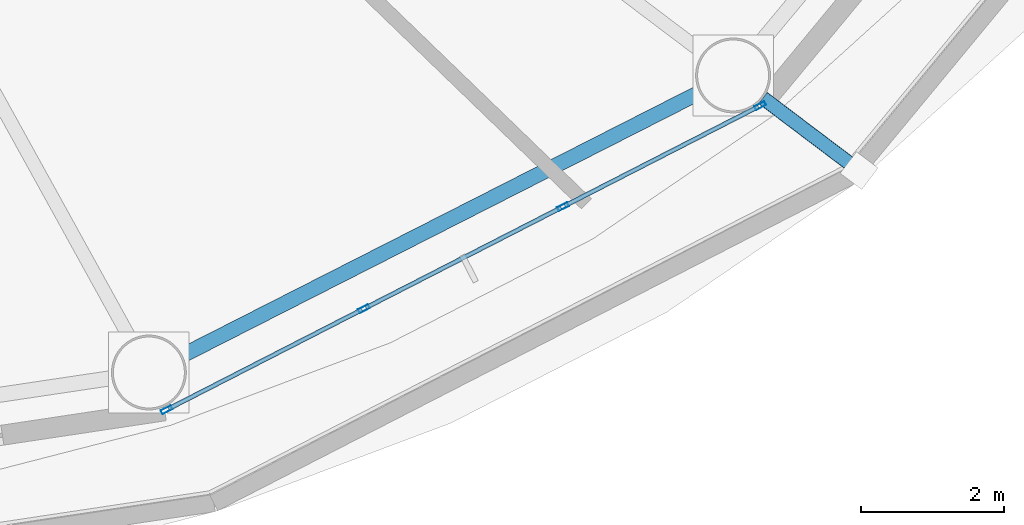
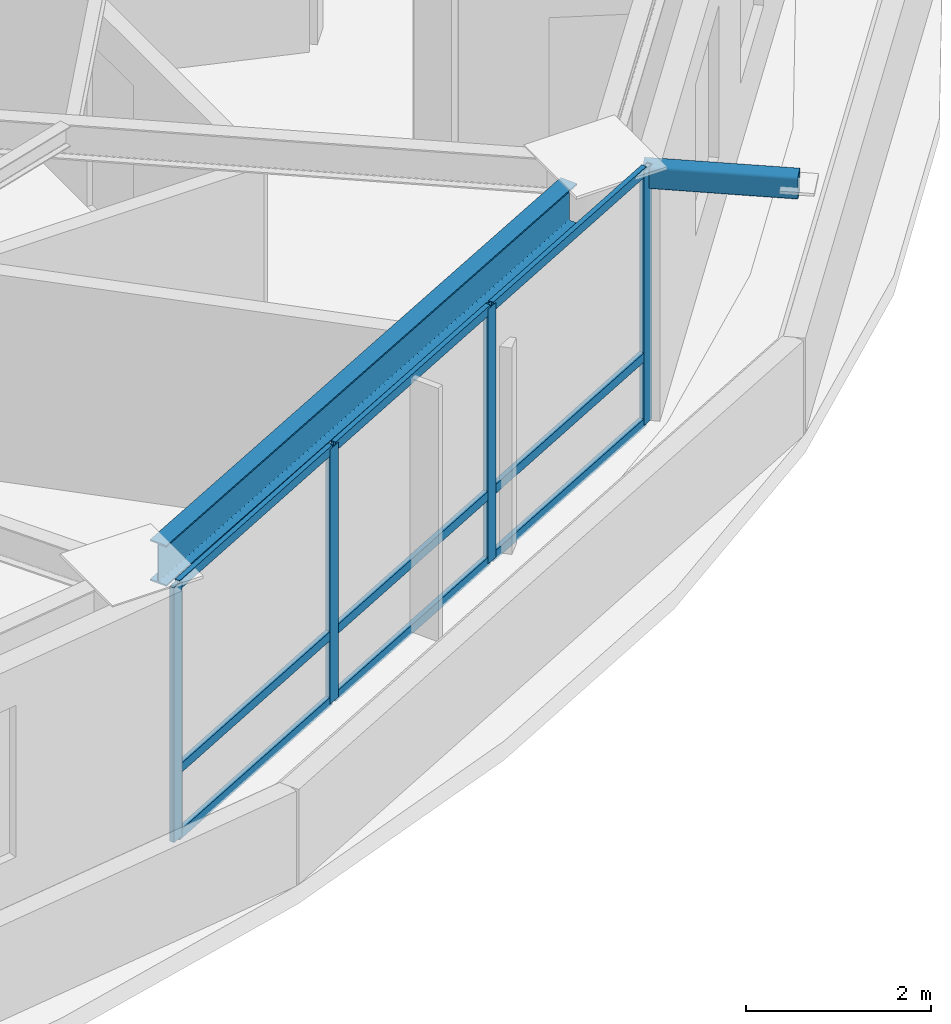
# One storey, part 5 of 22: 14 members, 1 beam, 1 element without a shape of its own.
"""IFC4 building model written with IfcOpenShell, lengths in metres."""

import ifcopenshell
import ifcopenshell.guid

model = None  # the IFC model being written
_history = None  # IfcOwnerHistory: only IFC2X3 demands one
_inside = {}  # id of a spatial element -> (the spatial element, [elements in it])
_under = {}  # id of a project, library or spatial element -> (it, [spatial elements below it])
_declared = {}  # id of a project -> (the project, [libraries it declares])
_typed = {}  # id of a type object -> (the type object, [elements of that type])
_made_of = {}  # id of a material, layer set ... -> (it, [elements and type objects made of it])


def new_model(schema):
    """Start an empty IFC model of exactly this schema.

    Asked for "IFC4X3", IfcOpenShell would pick the latest addendum, in which some entities
    have other attributes; the version numbers below select the first issue.
    IFC2X3 requires an IfcOwnerHistory on every rooted entity: one is made here for all.
    """
    global model, _history
    if schema == "IFC4X3":
        model = ifcopenshell.file(schema_version=(4, 3, 0, 0))
    else:
        model = ifcopenshell.file(schema=schema)
    _inside.clear()
    _under.clear()
    _declared.clear()
    _typed.clear()
    _made_of.clear()
    _history = None
    if model.schema == "IFC2X3":
        org = make("IfcOrganization", Name="unknown")
        user = make(
            "IfcPersonAndOrganization",
            ThePerson=make("IfcPerson", FamilyName="unknown"),
            TheOrganization=org,
        )
        app = make(
            "IfcApplication",
            ApplicationDeveloper=org,
            Version="unknown",
            ApplicationFullName="unknown",
            ApplicationIdentifier="unknown",
        )
        _history = make(
            "IfcOwnerHistory",
            OwningUser=user,
            OwningApplication=app,
            ChangeAction="ADDED",
            CreationDate=0,
        )
    return model


def make(cls, **values):
    """One entity of the class cls with the attributes given. An attribute that is None is left unset."""
    return model.create_entity(
        cls, **{name: value for name, value in values.items() if value is not None}
    )


def rooted(cls, **values):
    """An entity with a GlobalId (a new one), such as an element, a storey or a relation."""
    return make(cls, GlobalId=ifcopenshell.guid.new(), OwnerHistory=_history, **values)


def si_unit(unit_type, name, prefix=None):
    """IfcSIUnit, for example si_unit("LENGTHUNIT", "METRE", prefix="MILLI")."""
    return make("IfcSIUnit", UnitType=unit_type, Prefix=prefix, Name=name)


def assignment(units):
    """IfcUnitAssignment: the units of a project."""
    return None if units is None else make("IfcUnitAssignment", Units=units)


def point(xyz):
    """IfcCartesianPoint."""
    return None if xyz is None else make("IfcCartesianPoint", Coordinates=xyz)


def direction(xyz):
    """IfcDirection."""
    return None if xyz is None else make("IfcDirection", DirectionRatios=xyz)


def frame(location, z_axis=None, x_axis=None):
    """IfcAxis2Placement3D, a coordinate frame: its origin and axes. An axis left out is left unset."""
    return make(
        "IfcAxis2Placement3D",
        Location=point(location),
        Axis=direction(z_axis),
        RefDirection=direction(x_axis),
    )


def frame_2d(location, x_axis=None):
    """IfcAxis2Placement2D, a coordinate frame in the plane: its origin and x axis."""
    return make(
        "IfcAxis2Placement2D", Location=point(location), RefDirection=direction(x_axis)
    )


def origin():
    """The frame at (0, 0, 0) with its axes left unset."""
    return frame((0.0, 0.0, 0.0))


def origin_2d():
    """The frame at (0, 0) in the plane with its x axis left unset."""
    return frame_2d((0.0, 0.0))


def place(relative_to, where):
    """IfcLocalPlacement: puts the frame where relative to a parent placement (None: the world)."""
    return make(
        "IfcLocalPlacement", PlacementRelTo=relative_to, RelativePlacement=where
    )


def context(
    kind, dimensions, precision=None, world=None, true_north=None, identifier=None
):
    """IfcGeometricRepresentationContext, for example the 3D "Model" context."""
    return make(
        "IfcGeometricRepresentationContext",
        ContextIdentifier=identifier,
        ContextType=kind,
        CoordinateSpaceDimension=dimensions,
        Precision=precision,
        WorldCoordinateSystem=world,
        TrueNorth=true_north,
    )


def subcontext(parent, identifier, kind, view, scale=None):
    """IfcGeometricRepresentationSubContext, for example "Body" below "Model"."""
    return make(
        "IfcGeometricRepresentationSubContext",
        ContextIdentifier=identifier,
        ContextType=kind,
        ParentContext=parent,
        TargetScale=scale,
        TargetView=view,
    )


def project(units=None, contexts=None):
    """IfcProject with its units and contexts."""
    return rooted(
        "IfcProject",
        Name="project",
        RepresentationContexts=contexts,
        UnitsInContext=assignment(units),
    )


def spatial(cls, under=None, at=None, **own):
    """A site, building, storey or space (cls), placed at a placement, below another one or the project."""
    s = rooted(cls, ObjectPlacement=at, **own)
    if under is not None:
        _under.setdefault(under.id(), (under, []))[1].append(s)
    return s


def profile(cls, at=None, kind="AREA", **sizes):
    """A parametric profile (cls). Its sizes go by their IFC names, for example OverallWidth=200.0."""
    return make(cls, ProfileType=kind, Position=at, **sizes)


def hollow_rectangle(**sizes):
    """IfcRectangleHollowProfileDef."""
    return profile("IfcRectangleHollowProfileDef", **sizes)


def i_section(**sizes):
    """IfcIShapeProfileDef."""
    return profile("IfcIShapeProfileDef", **sizes)


def extrude(swept, where, along, depth):
    """IfcExtrudedAreaSolid: the profile swept, set in the frame where, extruded along a direction by depth."""
    return make(
        "IfcExtrudedAreaSolid",
        SweptArea=swept,
        Position=where,
        ExtrudedDirection=direction(along),
        Depth=depth,
    )


def shape(context_of_items, identifier, shape_type, items):
    """IfcShapeRepresentation: the items that make up one representation, for example the "Body"."""
    return make(
        "IfcShapeRepresentation",
        ContextOfItems=context_of_items,
        RepresentationIdentifier=identifier,
        RepresentationType=shape_type,
        Items=items,
    )


def material(Name=None, Category=None):
    """IfcMaterial."""
    return make("IfcMaterial", Name=Name, Category=Category)


def layer(
    of_material, thickness, ventilated=None, Name=None, Category=None, Priority=None
):
    """IfcMaterialLayer: one layer of a wall or slab, of a material (None: an air gap)."""
    return make(
        "IfcMaterialLayer",
        Material=of_material,
        LayerThickness=thickness,
        IsVentilated=ventilated,
        Name=Name,
        Category=Category,
        Priority=Priority,
    )


def layer_set(layers, Name=None):
    """IfcMaterialLayerSet."""
    return make("IfcMaterialLayerSet", MaterialLayers=layers, LayerSetName=Name)


def material_profile(
    of_material, cross_section, Name=None, Category=None, Priority=None
):
    """IfcMaterialProfile: a cross section and its material."""
    return make(
        "IfcMaterialProfile",
        Name=Name,
        Material=of_material,
        Profile=cross_section,
        Priority=Priority,
        Category=Category,
    )


def profile_set(profiles, Name=None, composite=None):
    """IfcMaterialProfileSet."""
    return make(
        "IfcMaterialProfileSet",
        Name=Name,
        MaterialProfiles=profiles,
        CompositeProfile=composite,
    )


def made_of(thing, what):
    """Note that an element or type object is made of a material, layer set ...; save() writes the relation."""
    if what is not None:
        _made_of.setdefault(what.id(), (what, []))[1].append(thing)
    return thing


def type_object(cls, material=None, **own):
    """A type object (cls), such as IfcWallType, which elements share."""
    return made_of(rooted(cls, **own), material)


def element(
    cls,
    number,
    at=None,
    inside=None,
    cuts=None,
    type_object=None,
    material=None,
    context=None,
    identifier="Body",
    shape_type=None,
    held_by="IfcProductDefinitionShape",
    body=None,
    shapes=None,
    **own,
):
    """One element of the class cls, such as IfcWall. Its Tag is "e" and its number.

    at: its placement. inside: the storey or other place that contains it. cuts: it is an
    opening in that element (IfcRelVoidsElement). A single representation is given by context,
    identifier, shape_type and body (its items); several are given by shapes. held_by: the class
    of the entity that holds the representations. save() writes the other relations.
    """
    e = rooted(cls, Tag="e%d" % number, ObjectPlacement=at, **own)
    if body is not None:
        shapes = [shape(context, identifier, shape_type, body)]
    if shapes is not None:
        e.Representation = make(held_by, Representations=shapes)
    if inside is not None:
        _inside.setdefault(inside.id(), (inside, []))[1].append(e)
    if cuts is not None:
        rooted(
            "IfcRelVoidsElement", RelatingBuildingElement=cuts, RelatedOpeningElement=e
        )
    if type_object is not None:
        _typed.setdefault(type_object.id(), (type_object, []))[1].append(e)
    return made_of(e, material)


def aggregate(whole, parts):
    """IfcRelAggregates: a whole, such as a stair, and the parts it consists of."""
    return rooted("IfcRelAggregates", RelatingObject=whole, RelatedObjects=parts)


def save(model, path):
    """Write the relations noted so far, then the file.

    IfcRelAggregates (storeys below a building ...), IfcRelContainedInSpatialStructure (elements
    in a storey), IfcRelDefinesByType, IfcRelAssociatesMaterial and IfcRelDeclares: one each for
    every whole, place, type object, material and project.
    """
    for whole, parts in _under.values():
        aggregate(whole, parts)
    for where, things in _inside.values():
        rooted(
            "IfcRelContainedInSpatialStructure",
            RelatedElements=things,
            RelatingStructure=where,
        )
    for kind, things in _typed.values():
        rooted("IfcRelDefinesByType", RelatedObjects=things, RelatingType=kind)
    for what, things in _made_of.values():
        rooted("IfcRelAssociatesMaterial", RelatedObjects=things, RelatingMaterial=what)
    for by, libraries in _declared.values():
        rooted("IfcRelDeclares", RelatingContext=by, RelatedDefinitions=libraries)
    model.write(path)


model = new_model("IFC4")

# Units and contexts
model_context = context("Model", 3, precision=1e-05, world=origin(), true_north=direction((0.0, 1.0)))
body_context = subcontext(model_context, "Body", "Model", "MODEL_VIEW")
ifc_project = project(units=[si_unit("LENGTHUNIT", "METRE"), si_unit("AREAUNIT", "SQUARE_METRE"), si_unit("VOLUMEUNIT", "CUBIC_METRE"), si_unit("PLANEANGLEUNIT", "RADIAN"), si_unit("MASSUNIT", "GRAM", prefix="KILO")], contexts=[model_context])

# Site, building, storey
site_placement = place(None, origin())
site = spatial("IfcSite", under=ifc_project, at=site_placement, CompositionType="ELEMENT")
building_placement = place(site_placement, origin())
building = spatial("IfcBuilding", under=site, at=building_placement, Name="Sarneth Arch Tower", CompositionType="ELEMENT")
storey_placement = place(building_placement, frame((0.0, 0.0, 206.39990234375)))
storey = spatial("IfcBuildingStorey", under=building, at=storey_placement, Name="L52", CompositionType="ELEMENT", Elevation=206.39990234375)

# Beam
ifc_material_1 = material(Name="Steel S355", Category="steel")
ifc_material_profile_1 = material_profile(ifc_material_1, i_section(OverallWidth=0.2109375, OverallDepth=0.5390625, WebThickness=0.01171875, FlangeThickness=0.018798828125, FilletRadius=0.01806640625, at=origin_2d()), Name="W530x109")
ifc_profile_set_1 = profile_set([ifc_material_profile_1], Name="Steel S355")
beam_type = type_object("IfcBeamType", Name="BM-RAD-530B", PredefinedType="BEAM", material=ifc_profile_set_1)
beam_placement = place(storey_placement, frame((58.2587890625, 24.49951171875, 3.090576171875), z_axis=(0.891368271482, 0.453279830342, 0.0), x_axis=(-0.453279830342, 0.891368271482, 0.0)))
element("IfcBeam", 1, at=beam_placement, inside=storey, type_object=beam_type, Name="L52 Perimeter spandrel beam 14", PredefinedType="BEAM", context=body_context, shape_type="SweptSolid", body=[
    extrude(i_section(OverallWidth=0.2109375, OverallDepth=0.5390625, WebThickness=0.01171875, FlangeThickness=0.018798828125, FilletRadius=0.01806640625, at=origin_2d()), origin(), (0.0, 0.0, 1.0), 8.1318359375),
])

# Curtain wall, members
ifc_material_2 = material(Name="Anodised aluminium Type AA25 and solar-control low-e laminated IGU", Category="aluminium")
ifc_layer = layer(ifc_material_2, 0.179931640625)
ifc_layer_set = layer_set([ifc_layer], Name="Anodised aluminium Type AA25 and solar-control low-e laminated IGU")
curtain_wall_type = type_object("IfcCurtainWallType", Name="CW-RES-HIGH", PredefinedType="NOTDEFINED", material=ifc_layer_set)
curtain_wall_placement = place(storey_placement, origin())
curtain_wall = element("IfcCurtainWall", 2, at=curtain_wall_placement, inside=storey, type_object=curtain_wall_type, Name="L52 Unitised curtain wall facet 14", PredefinedType="NOTDEFINED")
ifc_material_3 = material(Name="Anodised Aluminium 6063-T6", Category="aluminium")
ifc_material_profile_2 = material_profile(ifc_material_3, hollow_rectangle(XDim=0.06005859375, YDim=0.159912109375, WallThickness=0.00390625, at=origin_2d()), Name="AL-MULL-160x60x4")
ifc_profile_set_2 = profile_set([ifc_material_profile_2], Name="Anodised Aluminium 6063-T6")
member_type_1 = type_object("IfcMemberType", Name="CW-MULLION", PredefinedType="MULLION", material=ifc_profile_set_2)
member_1_placement = place(storey_placement, frame((58.039306640625, 23.7392578125, 0.0), z_axis=(0.0, 0.0, 1.0), x_axis=(-0.455941901753, 0.890009540525, 0.0)))
member_1 = element("IfcMember", 3, at=member_1_placement, type_object=member_type_1, Name="CW-SYS-6 mullion 1", PredefinedType="MULLION", context=body_context, shape_type="SweptSolid", body=[
    extrude(hollow_rectangle(XDim=0.06005859375, YDim=0.159912109375, WallThickness=0.00390625, at=origin_2d()), origin(), (0.0, 0.0, 1.0), 3.360107421875),
])
member_2_placement = place(storey_placement, frame((60.802490234375, 25.155029296875, 0.0), z_axis=(0.0, 0.0, 1.0), x_axis=(-0.455941901753, 0.890009540525, 0.0)))
member_2 = element("IfcMember", 4, at=member_2_placement, type_object=member_type_1, Name="CW-SYS-6 mullion 2", PredefinedType="MULLION", context=body_context, shape_type="SweptSolid", body=[
    extrude(hollow_rectangle(XDim=0.06005859375, YDim=0.159912109375, WallThickness=0.00390625, at=origin_2d()), origin(), (0.0, 0.0, 1.0), 3.360107421875),
])
member_3_placement = place(storey_placement, frame((63.592529296875, 26.584228515625, 0.0), z_axis=(0.0, 0.0, 1.0), x_axis=(-0.455941901753, 0.890009540525, 0.0)))
member_3 = element("IfcMember", 5, at=member_3_placement, type_object=member_type_1, Name="CW-SYS-6 mullion 3", PredefinedType="MULLION", context=body_context, shape_type="SweptSolid", body=[
    extrude(hollow_rectangle(XDim=0.06005859375, YDim=0.159912109375, WallThickness=0.00390625, at=origin_2d()), origin(), (0.0, 0.0, 1.0), 3.360107421875),
])
member_4_placement = place(storey_placement, frame((66.355712890625, 27.999755859375, 0.0), z_axis=(0.0, 0.0, 1.0), x_axis=(-0.455941901753, 0.890009540525, 0.0)))
member_4 = element("IfcMember", 6, at=member_4_placement, type_object=member_type_1, Name="CW-SYS-6 mullion 4", PredefinedType="MULLION", context=body_context, shape_type="SweptSolid", body=[
    extrude(hollow_rectangle(XDim=0.06005859375, YDim=0.159912109375, WallThickness=0.00390625, at=origin_2d()), origin(), (0.0, 0.0, 1.0), 3.360107421875),
])
ifc_material_4 = material(Name="Anodised Aluminium 6063-T6", Category="aluminium")
ifc_material_profile_3 = material_profile(ifc_material_4, hollow_rectangle(XDim=0.06005859375, YDim=0.1201171875, WallThickness=0.00390625, at=origin_2d()), Name="AL-TRAN-120x60x4")
ifc_profile_set_3 = profile_set([ifc_material_profile_3], Name="Anodised Aluminium 6063-T6")
member_type_2 = type_object("IfcMemberType", Name="CW-TRANSOM", PredefinedType="USERDEFINED", material=ifc_profile_set_3)
member_5_placement = place(storey_placement, frame((58.066162109375, 23.7529296875, 0.030029296875), z_axis=(0.889973523166, 0.456012201662, 0.0), x_axis=(-0.456012201662, 0.889973523166, 0.0)))
member_5 = element("IfcMember", 7, at=member_5_placement, type_object=member_type_2, Name="CW-SYS-6 transom 1.1", ObjectType="TRANSOM", PredefinedType="USERDEFINED", context=body_context, shape_type="SweptSolid", body=[
    extrude(hollow_rectangle(XDim=0.06005859375, YDim=0.1201171875, WallThickness=0.00390625, at=origin_2d()), origin(), (0.0, 0.0, 1.0), 3.044677734375),
])
member_6_placement = place(storey_placement, frame((58.066162109375, 23.7529296875, 0.900146484375), z_axis=(0.889973523166, 0.456012201662, 0.0), x_axis=(-0.456012201662, 0.889973523166, 0.0)))
member_6 = element("IfcMember", 8, at=member_6_placement, type_object=member_type_2, Name="CW-SYS-6 transom 1.2", ObjectType="TRANSOM", PredefinedType="USERDEFINED", context=body_context, shape_type="SweptSolid", body=[
    extrude(hollow_rectangle(XDim=0.06005859375, YDim=0.1201171875, WallThickness=0.00390625, at=origin_2d()), origin(), (0.0, 0.0, 1.0), 3.044677734375),
])
member_7_placement = place(storey_placement, frame((58.066162109375, 23.7529296875, 3.330078125), z_axis=(0.889973523166, 0.456012201662, 0.0), x_axis=(-0.456012201662, 0.889973523166, 0.0)))
member_7 = element("IfcMember", 9, at=member_7_placement, type_object=member_type_2, Name="CW-SYS-6 transom 1.3", ObjectType="TRANSOM", PredefinedType="USERDEFINED", context=body_context, shape_type="SweptSolid", body=[
    extrude(hollow_rectangle(XDim=0.06005859375, YDim=0.1201171875, WallThickness=0.00390625, at=origin_2d()), origin(), (0.0, 0.0, 1.0), 3.044677734375),
])
member_8_placement = place(storey_placement, frame((60.829345703125, 25.168701171875, 0.030029296875), z_axis=(0.890017432405, 0.455926496286, 0.0), x_axis=(-0.455926496286, 0.890017432405, 0.0)))
member_8 = element("IfcMember", 10, at=member_8_placement, type_object=member_type_2, Name="CW-SYS-6 transom 2.1", ObjectType="TRANSOM", PredefinedType="USERDEFINED", context=body_context, shape_type="SweptSolid", body=[
    extrude(hollow_rectangle(XDim=0.06005859375, YDim=0.1201171875, WallThickness=0.00390625, at=origin_2d()), origin(), (0.0, 0.0, 1.0), 3.07470703125),
])
member_9_placement = place(storey_placement, frame((60.829345703125, 25.168701171875, 0.900146484375), z_axis=(0.890017432405, 0.455926496286, 0.0), x_axis=(-0.455926496286, 0.890017432405, 0.0)))
member_9 = element("IfcMember", 11, at=member_9_placement, type_object=member_type_2, Name="CW-SYS-6 transom 2.2", ObjectType="TRANSOM", PredefinedType="USERDEFINED", context=body_context, shape_type="SweptSolid", body=[
    extrude(hollow_rectangle(XDim=0.06005859375, YDim=0.1201171875, WallThickness=0.00390625, at=origin_2d()), origin(), (0.0, 0.0, 1.0), 3.07470703125),
])
member_10_placement = place(storey_placement, frame((60.829345703125, 25.168701171875, 3.330078125), z_axis=(0.890017432405, 0.455926496286, 0.0), x_axis=(-0.455926496286, 0.890017432405, 0.0)))
member_10 = element("IfcMember", 12, at=member_10_placement, type_object=member_type_2, Name="CW-SYS-6 transom 2.3", ObjectType="TRANSOM", PredefinedType="USERDEFINED", context=body_context, shape_type="SweptSolid", body=[
    extrude(hollow_rectangle(XDim=0.06005859375, YDim=0.1201171875, WallThickness=0.00390625, at=origin_2d()), origin(), (0.0, 0.0, 1.0), 3.07470703125),
])
member_11_placement = place(storey_placement, frame((63.619140625, 26.597900390625, 0.030029296875), z_axis=(0.890022732705, 0.455916149384, 0.0), x_axis=(-0.455916149384, 0.890022732705, 0.0)))
member_11 = element("IfcMember", 13, at=member_11_placement, type_object=member_type_2, Name="CW-SYS-6 transom 3.1", ObjectType="TRANSOM", PredefinedType="USERDEFINED", context=body_context, shape_type="SweptSolid", body=[
    extrude(hollow_rectangle(XDim=0.06005859375, YDim=0.1201171875, WallThickness=0.00390625, at=origin_2d()), origin(), (0.0, 0.0, 1.0), 3.044921875),
])
member_12_placement = place(storey_placement, frame((63.619140625, 26.597900390625, 0.900146484375), z_axis=(0.890022732705, 0.455916149384, 0.0), x_axis=(-0.455916149384, 0.890022732705, 0.0)))
member_12 = element("IfcMember", 14, at=member_12_placement, type_object=member_type_2, Name="CW-SYS-6 transom 3.2", ObjectType="TRANSOM", PredefinedType="USERDEFINED", context=body_context, shape_type="SweptSolid", body=[
    extrude(hollow_rectangle(XDim=0.06005859375, YDim=0.1201171875, WallThickness=0.00390625, at=origin_2d()), origin(), (0.0, 0.0, 1.0), 3.044921875),
])
member_13_placement = place(storey_placement, frame((63.619140625, 26.597900390625, 3.330078125), z_axis=(0.890022732705, 0.455916149384, 0.0), x_axis=(-0.455916149384, 0.890022732705, 0.0)))
member_13 = element("IfcMember", 15, at=member_13_placement, type_object=member_type_2, Name="CW-SYS-6 transom 3.3", ObjectType="TRANSOM", PredefinedType="USERDEFINED", context=body_context, shape_type="SweptSolid", body=[
    extrude(hollow_rectangle(XDim=0.06005859375, YDim=0.1201171875, WallThickness=0.00390625, at=origin_2d()), origin(), (0.0, 0.0, 1.0), 3.044921875),
])
aggregate(curtain_wall, [member_1, member_2, member_3, member_4, member_5, member_6, member_7, member_8, member_9, member_10, member_11, member_12, member_13])

# Member
ifc_material_5 = material(Name="Steel S355", Category="steel")
ifc_material_profile_4 = material_profile(ifc_material_5, hollow_rectangle(XDim=0.199951171875, YDim=0.300048828125, WallThickness=0.012451171875, InnerFilletRadius=0.018798828125, OuterFilletRadius=0.03125, at=origin_2d()), Name="RHS300x200x12.5")
ifc_profile_set_4 = profile_set([ifc_material_profile_4], Name="Steel S355")
member_type_3 = type_object("IfcMemberType", Name="MEM-CANT-STRUT", PredefinedType="STRUT", material=ifc_profile_set_4)
member_14_placement = place(storey_placement, frame((66.39404296875, 28.107177734375, 3.2001953125), z_axis=(0.797947690042, -0.60272670752, 0.0), x_axis=(0.60272670752, 0.797947690042, 0.0)))
element("IfcMember", 16, at=member_14_placement, inside=storey, type_object=member_type_3, Name="L52 Balcony cantilever bracket 15", PredefinedType="STRUT", context=body_context, shape_type="SweptSolid", body=[
    extrude(hollow_rectangle(XDim=0.199951171875, YDim=0.300048828125, WallThickness=0.012451171875, InnerFilletRadius=0.018798828125, OuterFilletRadius=0.03125, at=origin_2d()), origin(), (0.0, 0.0, 1.0), 1.688232421875),
])

save(model, "model.ifc")
